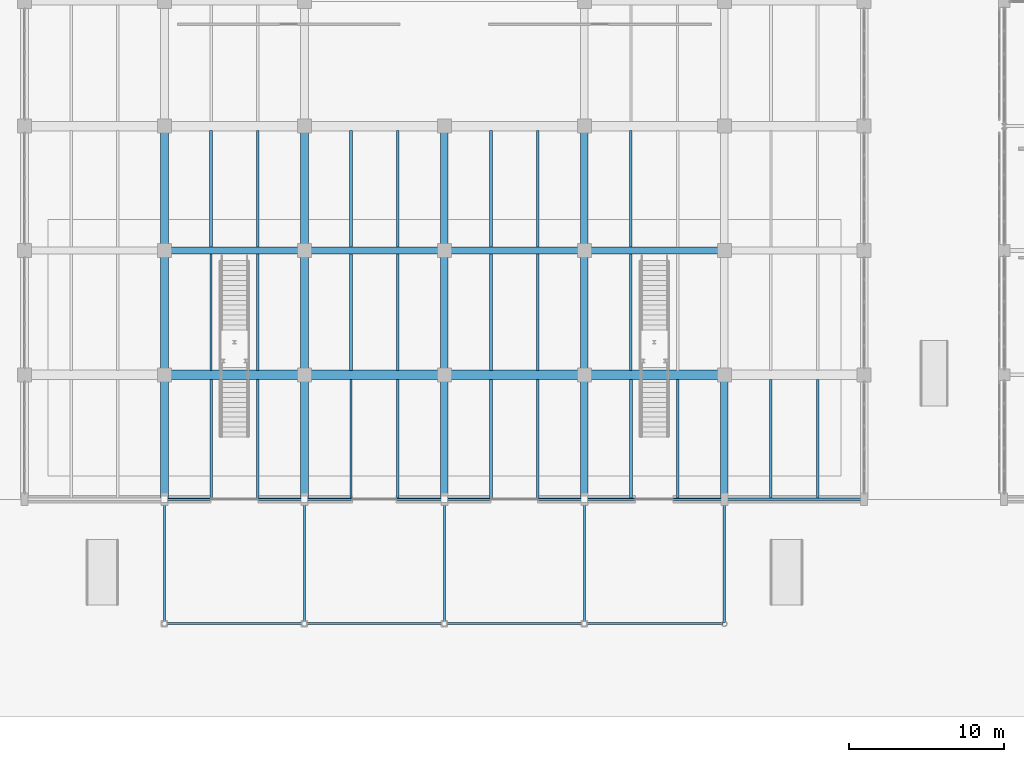
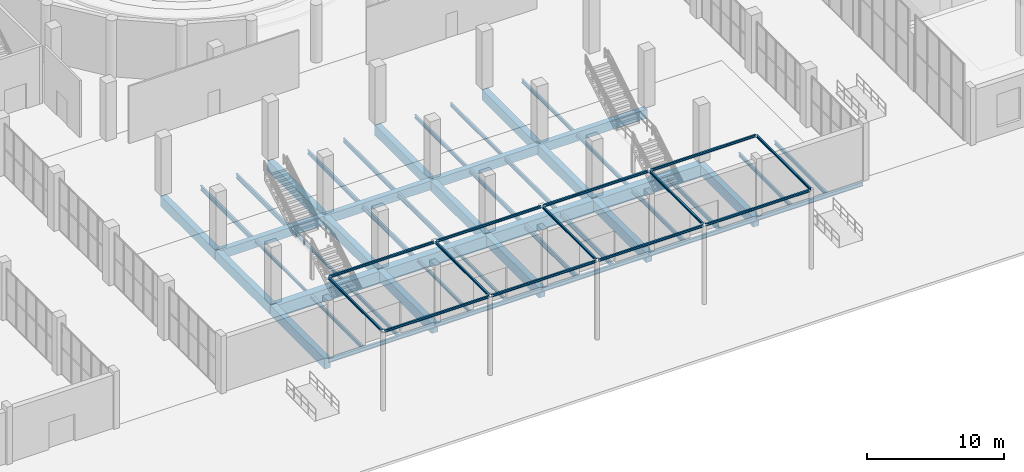
# One storey, part 38 of 103: 63 beams.
"""IFC4 building model written with IfcOpenShell, lengths in metres."""

from ifc_helpers import new_model, si_unit, direction, frame, origin, origin_2d, place, context, subcontext, project, spatial, rectangle, i_section, extrude, material, material_profile, profile_set, type_object, element, save


model = new_model("IFC4")

# Units and contexts
model_context = context("Model", 3, precision=1e-05, world=origin(), true_north=direction((0.0, 1.0)))
body_context = subcontext(model_context, "Body", "Model", "MODEL_VIEW")
ifc_project = project(units=[si_unit("LENGTHUNIT", "METRE"), si_unit("AREAUNIT", "SQUARE_METRE"), si_unit("VOLUMEUNIT", "CUBIC_METRE"), si_unit("PLANEANGLEUNIT", "RADIAN"), si_unit("MASSUNIT", "GRAM", prefix="KILO")], contexts=[model_context])

# Site, building, storey
site_placement = place(None, origin())
site = spatial("IfcSite", under=ifc_project, at=site_placement, CompositionType="ELEMENT")
building_placement = place(site_placement, origin())
building = spatial("IfcBuilding", under=site, at=building_placement, Name="Marnock Terrace Opera House", CompositionType="ELEMENT")
storey_placement = place(building_placement, origin())
storey = spatial("IfcBuildingStorey", under=building, at=storey_placement, Name="L00", CompositionType="ELEMENT", Elevation=0.0)

# Beams
ifc_material_1 = material(Name="Concrete N40 (f'c = 40 MPa)", Category="concrete")
ifc_material_profile_1 = material_profile(ifc_material_1, rectangle(XDim=0.449951171875, YDim=0.800048828125, at=origin_2d()))
ifc_profile_set_1 = profile_set([ifc_material_profile_1], Name="Concrete N40 (f'c = 40 MPa)")
beam_type_1 = type_object("IfcBeamType", Name="BM-B1-RC450", PredefinedType="BEAM", material=ifc_profile_set_1)
for number, where, z_axis, x_axis, name in (
    (1, (64.050048828125, 24.0, -0.699951171875), (1.0, 0.0, 0.0), (0.0, 1.0, 0.0), "L00 girder (64.0..73.0, Y=24.0)"),
    (2, (73.050048828125, 24.0, -0.699951171875), (1.0, 0.0, 0.0), (0.0, 1.0, 0.0), "L00 girder (73.0..82.0, Y=24.0)"),
    (3, (82.050048828125, 24.0, -0.699951171875), (1.0, 0.0, 0.0), (0.0, 1.0, 0.0), "L00 girder (82.0..91.0, Y=24.0)"),
    (4, (91.050048828125, 24.0, -0.699951171875), (1.0, 0.0, 0.0), (0.0, 1.0, 0.0), "L00 girder (91.0..100.0, Y=24.0)"),
):
    element("IfcBeam", number, at=place(storey_placement, frame(where, z_axis=z_axis, x_axis=x_axis)), inside=storey, type_object=beam_type_1, Name=name, PredefinedType="BEAM", context=body_context, shape_type="SweptSolid", body=[
        extrude(rectangle(XDim=0.449951171875, YDim=0.800048828125, at=origin_2d()), origin(), (0.0, 0.0, 1.0), 8.89990234375),
    ])
ifc_material_profile_2 = material_profile(ifc_material_1, rectangle(XDim=0.5, YDim=0.89990234375, at=origin_2d()))
ifc_profile_set_2 = profile_set([ifc_material_profile_2], Name="Concrete N40 (f'c = 40 MPa)")
beam_type_2 = type_object("IfcBeamType", Name="BM-B1-RC500", PredefinedType="BEAM", material=ifc_profile_set_2)
for number, where, z_axis, x_axis, name in (
    (5, (64.0, 8.050048828125, -0.75), (0.0, 1.0, 0.0), (-1.0, 0.0, 0.0), "L00 girder (X=64.0, 8.0..16.0)"),
    (6, (64.0, 16.050048828125, -0.75), (0.0, 1.0, 0.0), (-1.0, 0.0, 0.0), "L00 girder (X=64.0, 16.0..24.0)"),
    (7, (64.0, 24.050048828125, -0.75), (0.0, 1.0, 0.0), (-1.0, 0.0, 0.0), "L00 girder (X=64.0, 24.0..32.0)"),
    (8, (73.0, 8.050048828125, -0.75), (0.0, 1.0, 0.0), (-1.0, 0.0, 0.0), "L00 girder (X=73.0, 8.0..16.0)"),
    (9, (73.0, 16.050048828125, -0.75), (0.0, 1.0, 0.0), (-1.0, 0.0, 0.0), "L00 girder (X=73.0, 16.0..24.0)"),
    (10, (73.0, 24.050048828125, -0.75), (0.0, 1.0, 0.0), (-1.0, 0.0, 0.0), "L00 girder (X=73.0, 24.0..32.0)"),
    (11, (82.0, 8.050048828125, -0.75), (0.0, 1.0, 0.0), (-1.0, 0.0, 0.0), "L00 girder (X=82.0, 8.0..16.0)"),
    (12, (82.0, 16.050048828125, -0.75), (0.0, 1.0, 0.0), (-1.0, 0.0, 0.0), "L00 girder (X=82.0, 16.0..24.0)"),
    (13, (82.0, 24.050048828125, -0.75), (0.0, 1.0, 0.0), (-1.0, 0.0, 0.0), "L00 girder (X=82.0, 24.0..32.0)"),
    (14, (91.0, 8.050048828125, -0.75), (0.0, 1.0, 0.0), (-1.0, 0.0, 0.0), "L00 girder (X=91.0, 8.0..16.0)"),
    (15, (91.0, 16.050048828125, -0.75), (0.0, 1.0, 0.0), (-1.0, 0.0, 0.0), "L00 girder (X=91.0, 16.0..24.0)"),
    (16, (91.0, 24.050048828125, -0.75), (0.0, 1.0, 0.0), (-1.0, 0.0, 0.0), "L00 girder (X=91.0, 24.0..32.0)"),
    (17, (100.0, 8.050048828125, -0.75), (0.0, 1.0, 0.0), (-1.0, 0.0, 0.0), "L00 girder (X=100.0, 8.0..16.0)"),
):
    element("IfcBeam", number, at=place(storey_placement, frame(where, z_axis=z_axis, x_axis=x_axis)), inside=storey, type_object=beam_type_2, Name=name, PredefinedType="BEAM", context=body_context, shape_type="SweptSolid", body=[
        extrude(rectangle(XDim=0.5, YDim=0.89990234375, at=origin_2d()), origin(), (0.0, 0.0, 1.0), 7.89990234375),
    ])
ifc_material_profile_3 = material_profile(ifc_material_1, rectangle(XDim=0.60009765625, YDim=1.10009765625, at=origin_2d()))
ifc_profile_set_3 = profile_set([ifc_material_profile_3], Name="Concrete N40 (f'c = 40 MPa)")
beam_type_3 = type_object("IfcBeamType", Name="BM-B1-RC600", PredefinedType="BEAM", material=ifc_profile_set_3)
for number, where, z_axis, x_axis, name in (
    (18, (64.050048828125, 16.0, -0.85009765625), (1.0, 0.0, 0.0), (0.0, 1.0, 0.0), "L00 girder (64.0..73.0, Y=16.0)"),
    (19, (73.050048828125, 16.0, -0.85009765625), (1.0, 0.0, 0.0), (0.0, 1.0, 0.0), "L00 girder (73.0..82.0, Y=16.0)"),
    (20, (82.050048828125, 16.0, -0.85009765625), (1.0, 0.0, 0.0), (0.0, 1.0, 0.0), "L00 girder (82.0..91.0, Y=16.0)"),
    (21, (91.050048828125, 16.0, -0.85009765625), (1.0, 0.0, 0.0), (0.0, 1.0, 0.0), "L00 girder (91.0..100.0, Y=16.0)"),
):
    element("IfcBeam", number, at=place(storey_placement, frame(where, z_axis=z_axis, x_axis=x_axis)), inside=storey, type_object=beam_type_3, Name=name, PredefinedType="BEAM", context=body_context, shape_type="SweptSolid", body=[
        extrude(rectangle(XDim=0.60009765625, YDim=1.10009765625, at=origin_2d()), origin(), (0.0, 0.0, 1.0), 8.89990234375),
    ])
ifc_material_2 = material(Name="Steel Grade 350 (AS/NZS 3679.1)", Category="steel")
ifc_material_profile_4 = material_profile(ifc_material_2, i_section(OverallWidth=0.134033203125, OverallDepth=0.20703125, WebThickness=0.00634765625, FlangeThickness=0.009521484375, FilletRadius=0.0087890625, at=origin_2d()))
ifc_profile_set_4 = profile_set([ifc_material_profile_4], Name="Steel Grade 350 (AS/NZS 3679.1)")
beam_type_4 = type_object("IfcBeamType", Name="BM-CANOPY-200", PredefinedType="BEAM", material=ifc_profile_set_4)
for number, where, z_axis, x_axis, name in (
    (22, (64.080078125, 0.0, 6.93603515625), (1.0, 0.0, 0.0), (0.0, 1.0, 0.0), "Portico canopy beam"),
    (23, (73.080078125, 0.0, 6.93603515625), (1.0, 0.0, 0.0), (0.0, 1.0, 0.0), "Portico canopy beam"),
    (24, (82.080078125, 0.0, 6.93603515625), (1.0, 0.0, 0.0), (0.0, 1.0, 0.0), "Portico canopy beam"),
    (25, (91.080078125, 0.0, 6.93603515625), (1.0, 0.0, 0.0), (0.0, 1.0, 0.0), "Portico canopy beam"),
    (26, (64.080078125, 8.0, 6.93603515625), (1.0, 0.0, 0.0), (0.0, 1.0, 0.0), "Portico canopy beam"),
    (27, (73.080078125, 8.0, 6.93603515625), (1.0, 0.0, 0.0), (0.0, 1.0, 0.0), "Portico canopy beam"),
    (28, (82.080078125, 8.0, 6.93603515625), (1.0, 0.0, 0.0), (0.0, 1.0, 0.0), "Portico canopy beam"),
    (29, (91.080078125, 8.0, 6.93603515625), (1.0, 0.0, 0.0), (0.0, 1.0, 0.0), "Portico canopy beam"),
):
    element("IfcBeam", number, at=place(storey_placement, frame(where, z_axis=z_axis, x_axis=x_axis)), inside=storey, type_object=beam_type_4, Name=name, PredefinedType="BEAM", context=body_context, shape_type="SweptSolid", body=[
        extrude(i_section(OverallWidth=0.134033203125, OverallDepth=0.20703125, WebThickness=0.00634765625, FlangeThickness=0.009521484375, FilletRadius=0.0087890625, at=origin_2d()), origin(), (0.0, 0.0, 1.0), 8.83984375),
    ])
for number, where, z_axis, x_axis, name in (
    (30, (64.0, 0.080078125, 6.93603515625), (0.0, 1.0, 0.0), (-1.0, 0.0, 0.0), "Portico canopy tie beam"),
    (31, (73.0, 0.080078125, 6.93603515625), (0.0, 1.0, 0.0), (-1.0, 0.0, 0.0), "Portico canopy tie beam"),
    (32, (82.0, 0.080078125, 6.93603515625), (0.0, 1.0, 0.0), (-1.0, 0.0, 0.0), "Portico canopy tie beam"),
    (33, (91.0, 0.080078125, 6.93603515625), (0.0, 1.0, 0.0), (-1.0, 0.0, 0.0), "Portico canopy tie beam"),
    (34, (100.0, 0.080078125, 6.93603515625), (0.0, 1.0, 0.0), (-1.0, 0.0, 0.0), "Portico canopy tie beam"),
):
    element("IfcBeam", number, at=place(storey_placement, frame(where, z_axis=z_axis, x_axis=x_axis)), inside=storey, type_object=beam_type_4, Name=name, PredefinedType="BEAM", context=body_context, shape_type="SweptSolid", body=[
        extrude(i_section(OverallWidth=0.134033203125, OverallDepth=0.20703125, WebThickness=0.00634765625, FlangeThickness=0.009521484375, FilletRadius=0.0087890625, at=origin_2d()), origin(), (0.0, 0.0, 1.0), 7.83984375),
    ])
ifc_material_profile_5 = material_profile(ifc_material_2, i_section(OverallWidth=0.14599609375, OverallDepth=0.256103515625, WebThickness=0.00634765625, FlangeThickness=0.010986328125, FilletRadius=0.0087890625, at=origin_2d()))
ifc_profile_set_5 = profile_set([ifc_material_profile_5], Name="Steel Grade 350 (AS/NZS 3679.1)")
beam_type_5 = type_object("IfcBeamType", Name="BM-JOIST-250", PredefinedType="JOIST", material=ifc_profile_set_5)
for number, where, z_axis, x_axis, name in (
    (35, (67.0, 16.294921875, -0.427978515625), (0.0, 1.0, 0.0), (-1.0, 0.0, 0.0), "L00 secondary joist 7.2.1"),
    (36, (70.0, 16.294921875, -0.427978515625), (0.0, 1.0, 0.0), (-1.0, 0.0, 0.0), "L00 secondary joist 7.2.2"),
):
    element("IfcBeam", number, at=place(storey_placement, frame(where, z_axis=z_axis, x_axis=x_axis)), inside=storey, type_object=beam_type_5, Name=name, PredefinedType="JOIST", context=body_context, shape_type="SweptSolid", body=[
        extrude(i_section(OverallWidth=0.14599609375, OverallDepth=0.256103515625, WebThickness=0.00634765625, FlangeThickness=0.010986328125, FilletRadius=0.0087890625, at=origin_2d()), origin(), (0.0, 0.0, 1.0), 7.485107421875),
    ])
for number, where, z_axis, x_axis, name in (
    (37, (76.0, 8.0810546875, -0.427978515625), (0.0, 1.0, 0.0), (-1.0, 0.0, 0.0), "L00 secondary joist 8.1.1"),
    (38, (79.0, 8.0810546875, -0.427978515625), (0.0, 1.0, 0.0), (-1.0, 0.0, 0.0), "L00 secondary joist 8.1.2"),
):
    element("IfcBeam", number, at=place(storey_placement, frame(where, z_axis=z_axis, x_axis=x_axis)), inside=storey, type_object=beam_type_5, Name=name, PredefinedType="JOIST", context=body_context, shape_type="SweptSolid", body=[
        extrude(i_section(OverallWidth=0.14599609375, OverallDepth=0.256103515625, WebThickness=0.00634765625, FlangeThickness=0.010986328125, FilletRadius=0.0087890625, at=origin_2d()), origin(), (0.0, 0.0, 1.0), 7.6240234375),
    ])
ifc_material_profile_6 = material_profile(ifc_material_2, i_section(OverallWidth=0.166015625, OverallDepth=0.30712890625, WebThickness=0.006591796875, FlangeThickness=0.01171875, FilletRadius=0.011474609375, at=origin_2d()))
ifc_profile_set_6 = profile_set([ifc_material_profile_6], Name="Steel Grade 350 (AS/NZS 3679.1)")
beam_type_6 = type_object("IfcBeamType", Name="BM-JOIST-310A", PredefinedType="JOIST", material=ifc_profile_set_6)
for number, where, z_axis, x_axis, name in (
    (39, (85.0, 24.219970703125, -0.45361328125), (0.0, 1.0, 0.0), (-1.0, 0.0, 0.0), "L00 secondary joist 9.3.1"),
    (40, (88.0, 24.219970703125, -0.45361328125), (0.0, 1.0, 0.0), (-1.0, 0.0, 0.0), "L00 secondary joist 9.3.2"),
    (41, (94.0, 16.294921875, -0.45361328125), (0.0, 1.0, 0.0), (-1.0, 0.0, 0.0), "L00 secondary joist 10.2.1"),
):
    element("IfcBeam", number, at=place(storey_placement, frame(where, z_axis=z_axis, x_axis=x_axis)), inside=storey, type_object=beam_type_6, Name=name, PredefinedType="JOIST", context=body_context, shape_type="SweptSolid", body=[
        extrude(i_section(OverallWidth=0.166015625, OverallDepth=0.30712890625, WebThickness=0.006591796875, FlangeThickness=0.01171875, FilletRadius=0.011474609375, at=origin_2d()), origin(), (0.0, 0.0, 1.0), 7.485107421875),
    ])
for number, where, z_axis, x_axis, name in (
    (42, (103.0, 8.0810546875, -0.45361328125), (0.0, 1.0, 0.0), (-1.0, 0.0, 0.0), "L00 secondary joist 11.1.1"),
    (43, (106.0, 8.0810546875, -0.45361328125), (0.0, 1.0, 0.0), (-1.0, 0.0, 0.0), "L00 secondary joist 11.1.2"),
):
    element("IfcBeam", number, at=place(storey_placement, frame(where, z_axis=z_axis, x_axis=x_axis)), inside=storey, type_object=beam_type_6, Name=name, PredefinedType="JOIST", context=body_context, shape_type="SweptSolid", body=[
        extrude(i_section(OverallWidth=0.166015625, OverallDepth=0.30712890625, WebThickness=0.006591796875, FlangeThickness=0.01171875, FilletRadius=0.011474609375, at=origin_2d()), origin(), (0.0, 0.0, 1.0), 7.6240234375),
    ])
ifc_material_profile_7 = material_profile(ifc_material_2, i_section(OverallWidth=0.1650390625, OverallDepth=0.3037109375, WebThickness=0.006103515625, FlangeThickness=0.01025390625, FilletRadius=0.011474609375, at=origin_2d()))
ifc_profile_set_7 = profile_set([ifc_material_profile_7], Name="Steel Grade 350 (AS/NZS 3679.1)")
beam_type_7 = type_object("IfcBeamType", Name="BM-JOIST-310B", PredefinedType="JOIST", material=ifc_profile_set_7)
for number, where, z_axis, x_axis, name in (
    (44, (67.0, 8.0810546875, -0.451904296875), (0.0, 1.0, 0.0), (-1.0, 0.0, 0.0), "L00 secondary joist 7.1.1"),
    (45, (70.0, 8.0810546875, -0.451904296875), (0.0, 1.0, 0.0), (-1.0, 0.0, 0.0), "L00 secondary joist 7.1.2"),
):
    element("IfcBeam", number, at=place(storey_placement, frame(where, z_axis=z_axis, x_axis=x_axis)), inside=storey, type_object=beam_type_7, Name=name, PredefinedType="JOIST", context=body_context, shape_type="SweptSolid", body=[
        extrude(i_section(OverallWidth=0.1650390625, OverallDepth=0.3037109375, WebThickness=0.006103515625, FlangeThickness=0.01025390625, FilletRadius=0.011474609375, at=origin_2d()), origin(), (0.0, 0.0, 1.0), 7.6240234375),
    ])
beam_placement = place(storey_placement, frame((94.0, 24.219970703125, -0.451904296875), z_axis=(0.0, 1.0, 0.0), x_axis=(-1.0, 0.0, 0.0)))
element("IfcBeam", 46, at=beam_placement, inside=storey, type_object=beam_type_7, Name="L00 secondary joist 10.3.1", PredefinedType="JOIST", context=body_context, shape_type="SweptSolid", body=[
    extrude(i_section(OverallWidth=0.1650390625, OverallDepth=0.3037109375, WebThickness=0.006103515625, FlangeThickness=0.01025390625, FilletRadius=0.011474609375, at=origin_2d()), origin(), (0.0, 0.0, 1.0), 7.485107421875),
])
ifc_material_profile_8 = material_profile(ifc_material_2, i_section(OverallWidth=0.172119140625, OverallDepth=0.358642578125, WebThickness=0.008056640625, FlangeThickness=0.012939453125, FilletRadius=0.011474609375, at=origin_2d()))
ifc_profile_set_8 = profile_set([ifc_material_profile_8], Name="Steel Grade 350 (AS/NZS 3679.1)")
beam_type_8 = type_object("IfcBeamType", Name="BM-JOIST-360", PredefinedType="JOIST", material=ifc_profile_set_8)
for number, where, z_axis, x_axis, name in (
    (47, (76.0, 24.219970703125, -0.479248046875), (0.0, 1.0, 0.0), (-1.0, 0.0, 0.0), "L00 secondary joist 8.3.1"),
    (48, (79.0, 24.219970703125, -0.479248046875), (0.0, 1.0, 0.0), (-1.0, 0.0, 0.0), "L00 secondary joist 8.3.2"),
    (49, (85.0, 16.294921875, -0.479248046875), (0.0, 1.0, 0.0), (-1.0, 0.0, 0.0), "L00 secondary joist 9.2.1"),
    (50, (88.0, 16.294921875, -0.479248046875), (0.0, 1.0, 0.0), (-1.0, 0.0, 0.0), "L00 secondary joist 9.2.2"),
):
    element("IfcBeam", number, at=place(storey_placement, frame(where, z_axis=z_axis, x_axis=x_axis)), inside=storey, type_object=beam_type_8, Name=name, PredefinedType="JOIST", context=body_context, shape_type="SweptSolid", body=[
        extrude(i_section(OverallWidth=0.172119140625, OverallDepth=0.358642578125, WebThickness=0.008056640625, FlangeThickness=0.012939453125, FilletRadius=0.011474609375, at=origin_2d()), origin(), (0.0, 0.0, 1.0), 7.485107421875),
    ])
for number, where, z_axis, x_axis, name in (
    (51, (94.0, 8.0810546875, -0.479248046875), (0.0, 1.0, 0.0), (-1.0, 0.0, 0.0), "L00 secondary joist 10.1.1"),
    (52, (97.0, 8.0810546875, -0.479248046875), (0.0, 1.0, 0.0), (-1.0, 0.0, 0.0), "L00 secondary joist 10.1.2"),
):
    element("IfcBeam", number, at=place(storey_placement, frame(where, z_axis=z_axis, x_axis=x_axis)), inside=storey, type_object=beam_type_8, Name=name, PredefinedType="JOIST", context=body_context, shape_type="SweptSolid", body=[
        extrude(i_section(OverallWidth=0.172119140625, OverallDepth=0.358642578125, WebThickness=0.008056640625, FlangeThickness=0.012939453125, FilletRadius=0.011474609375, at=origin_2d()), origin(), (0.0, 0.0, 1.0), 7.6240234375),
    ])
ifc_material_profile_9 = material_profile(ifc_material_2, i_section(OverallWidth=0.177978515625, OverallDepth=0.406494140625, WebThickness=0.0078125, FlangeThickness=0.0126953125, FilletRadius=0.011474609375, at=origin_2d()))
ifc_profile_set_9 = profile_set([ifc_material_profile_9], Name="Steel Grade 350 (AS/NZS 3679.1)")
beam_type_9 = type_object("IfcBeamType", Name="BM-JOIST-410", PredefinedType="JOIST", material=ifc_profile_set_9)
for number, where, z_axis, x_axis, name in (
    (53, (67.0, 24.219970703125, -0.503173828125), (0.0, 1.0, 0.0), (-1.0, 0.0, 0.0), "L00 secondary joist 7.3.1"),
    (54, (70.0, 24.219970703125, -0.503173828125), (0.0, 1.0, 0.0), (-1.0, 0.0, 0.0), "L00 secondary joist 7.3.2"),
    (55, (76.0, 16.294921875, -0.503173828125), (0.0, 1.0, 0.0), (-1.0, 0.0, 0.0), "L00 secondary joist 8.2.1"),
    (56, (79.0, 16.294921875, -0.503173828125), (0.0, 1.0, 0.0), (-1.0, 0.0, 0.0), "L00 secondary joist 8.2.2"),
):
    element("IfcBeam", number, at=place(storey_placement, frame(where, z_axis=z_axis, x_axis=x_axis)), inside=storey, type_object=beam_type_9, Name=name, PredefinedType="JOIST", context=body_context, shape_type="SweptSolid", body=[
        extrude(i_section(OverallWidth=0.177978515625, OverallDepth=0.406494140625, WebThickness=0.0078125, FlangeThickness=0.0126953125, FilletRadius=0.011474609375, at=origin_2d()), origin(), (0.0, 0.0, 1.0), 7.485107421875),
    ])
for number, where, z_axis, x_axis, name in (
    (57, (85.0, 8.0810546875, -0.503173828125), (0.0, 1.0, 0.0), (-1.0, 0.0, 0.0), "L00 secondary joist 9.1.1"),
    (58, (88.0, 8.0810546875, -0.503173828125), (0.0, 1.0, 0.0), (-1.0, 0.0, 0.0), "L00 secondary joist 9.1.2"),
):
    element("IfcBeam", number, at=place(storey_placement, frame(where, z_axis=z_axis, x_axis=x_axis)), inside=storey, type_object=beam_type_9, Name=name, PredefinedType="JOIST", context=body_context, shape_type="SweptSolid", body=[
        extrude(i_section(OverallWidth=0.177978515625, OverallDepth=0.406494140625, WebThickness=0.0078125, FlangeThickness=0.0126953125, FilletRadius=0.011474609375, at=origin_2d()), origin(), (0.0, 0.0, 1.0), 7.6240234375),
    ])
ifc_material_profile_10 = material_profile(ifc_material_2, i_section(OverallWidth=0.172119140625, OverallDepth=0.358642578125, WebThickness=0.008056640625, FlangeThickness=0.012939453125, FilletRadius=0.011474609375, at=origin_2d()))
ifc_profile_set_10 = profile_set([ifc_material_profile_10], Name="Steel Grade 350 (AS/NZS 3679.1)")
beam_type_10 = type_object("IfcBeamType", Name="BM-SPAN-360", PredefinedType="SPANDREL", material=ifc_profile_set_10)
for number, where, z_axis, x_axis, name in (
    (59, (64.050048828125, 8.0, -0.479248046875), (1.0, 0.0, 0.0), (0.0, 1.0, 0.0), "L00 girder (64.0..73.0, Y=8.0)"),
    (60, (73.050048828125, 8.0, -0.479248046875), (1.0, 0.0, 0.0), (0.0, 1.0, 0.0), "L00 girder (73.0..82.0, Y=8.0)"),
    (61, (82.050048828125, 8.0, -0.479248046875), (1.0, 0.0, 0.0), (0.0, 1.0, 0.0), "L00 girder (82.0..91.0, Y=8.0)"),
    (62, (91.050048828125, 8.0, -0.479248046875), (1.0, 0.0, 0.0), (0.0, 1.0, 0.0), "L00 girder (91.0..100.0, Y=8.0)"),
    (63, (100.050048828125, 8.0, -0.479248046875), (1.0, 0.0, 0.0), (0.0, 1.0, 0.0), "L00 girder (100.0..109.0, Y=8.0)"),
):
    element("IfcBeam", number, at=place(storey_placement, frame(where, z_axis=z_axis, x_axis=x_axis)), inside=storey, type_object=beam_type_10, Name=name, PredefinedType="SPANDREL", context=body_context, shape_type="SweptSolid", body=[
        extrude(i_section(OverallWidth=0.172119140625, OverallDepth=0.358642578125, WebThickness=0.008056640625, FlangeThickness=0.012939453125, FilletRadius=0.011474609375, at=origin_2d()), origin(), (0.0, 0.0, 1.0), 8.89990234375),
    ])

save(model, "model.ifc")
